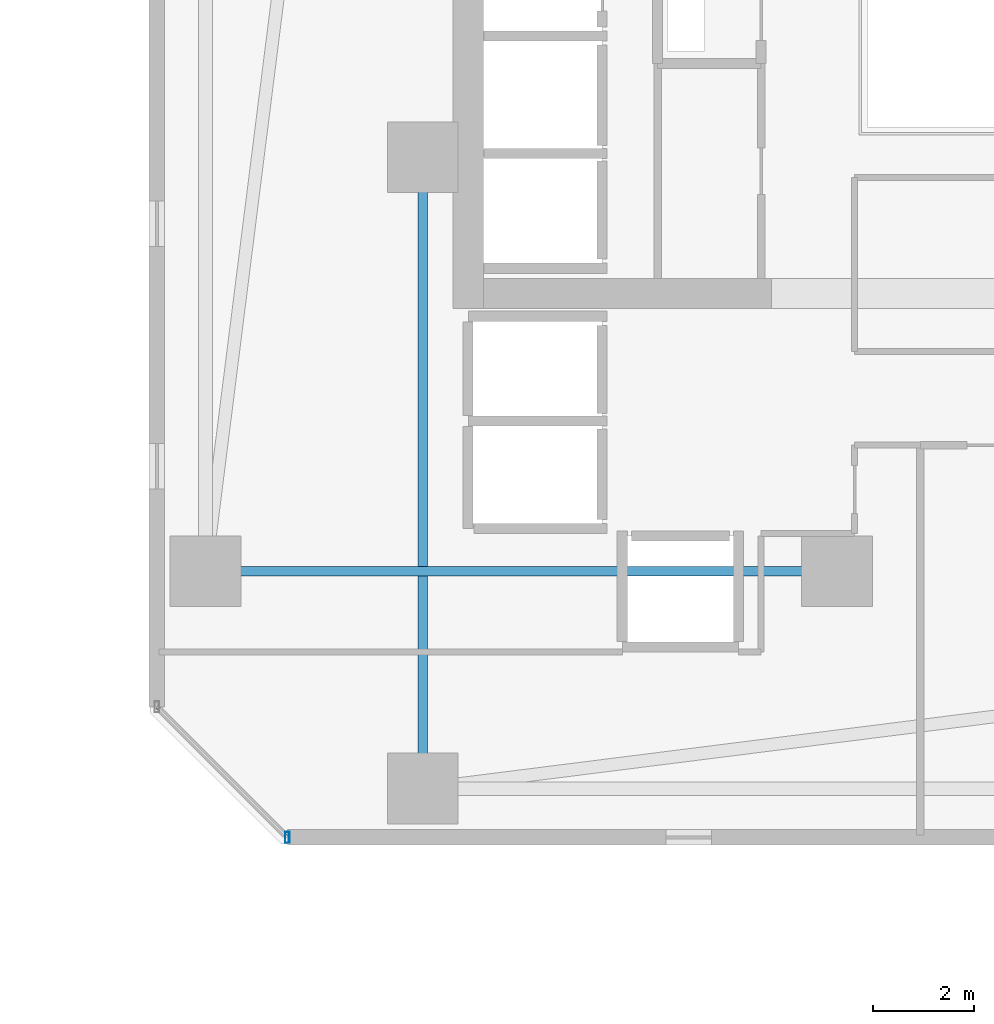
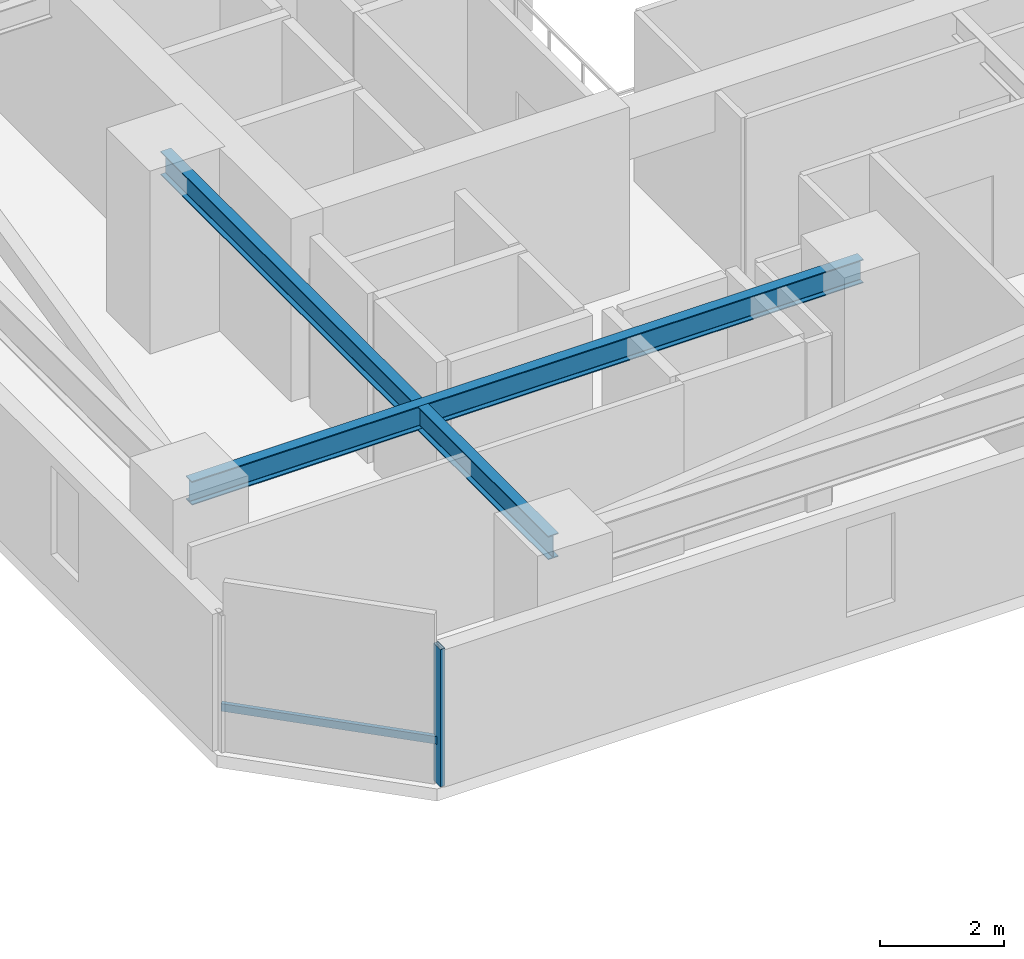
# One storey, part 12 of 34: 2 beams, 2 members, 1 element without a shape of its own.
"""IFC4 building model written with IfcOpenShell, lengths in metres."""

from ifc_helpers import new_model, si_unit, direction, frame, origin, origin_2d, place, context, subcontext, project, spatial, hollow_rectangle, i_section, extrude, material, material_profile, profile_set, type_object, element, aggregate, save


model = new_model("IFC4")

# Units and contexts
model_context = context("Model", 3, precision=1e-05, world=origin(), true_north=direction((0.0, 1.0)))
body_context = subcontext(model_context, "Body", "Model", "MODEL_VIEW")
ifc_project = project(units=[si_unit("LENGTHUNIT", "METRE"), si_unit("AREAUNIT", "SQUARE_METRE"), si_unit("VOLUMEUNIT", "CUBIC_METRE"), si_unit("PLANEANGLEUNIT", "RADIAN"), si_unit("MASSUNIT", "GRAM", prefix="KILO")], contexts=[model_context])

# Site, building, storey
site_placement = place(None, origin())
site = spatial("IfcSite", under=ifc_project, at=site_placement, CompositionType="ELEMENT")
building_placement = place(site_placement, origin())
building = spatial("IfcBuilding", under=site, at=building_placement, Name="Thornwick Lancets Civic Towers", CompositionType="ELEMENT")
storey_placement = place(building_placement, frame((0.0, 0.0, 60.89990234375)))
storey = spatial("IfcBuildingStorey", under=building, at=storey_placement, Name="L15", CompositionType="ELEMENT", Elevation=60.89990234375)

# Beams
ifc_material_1 = material(Name="Steel S355JR", Category="steel")
ifc_material_profile_1 = material_profile(ifc_material_1, i_section(OverallWidth=0.19287109375, OverallDepth=0.46728515625, WebThickness=0.011474609375, FlangeThickness=0.01953125, FilletRadius=0.01025390625, at=origin_2d()), Name="UKB 457x191x98")
ifc_profile_set_1 = profile_set([ifc_material_profile_1], Name="Steel S355JR")
beam_type = type_object("IfcBeamType", Name="BM_JOIST_457_98", PredefinedType="JOIST", material=ifc_profile_set_1)
for number, where, z_axis, x_axis, name in (
    (1, (83.699951171875, 14.0, 3.12646484375), (-1.0, 0.0, 0.0), (0.0, -1.0, 0.0), "BM-RADIN-L15-B07"),
    (2, (75.5, 22.199951171875, 3.12646484375), (0.0, -1.0, 0.0), (1.0, 0.0, 0.0), "BM-RADIN-L15-B12"),
):
    element("IfcBeam", number, at=place(storey_placement, frame(where, z_axis=z_axis, x_axis=x_axis)), inside=storey, type_object=beam_type, Name=name, PredefinedType="JOIST", context=body_context, shape_type="SweptSolid", body=[
        extrude(i_section(OverallWidth=0.19287109375, OverallDepth=0.46728515625, WebThickness=0.011474609375, FlangeThickness=0.01953125, FilletRadius=0.01025390625, at=origin_2d()), origin(), (0.0, 0.0, 1.0), 12.5),
    ])

# Curtain wall, members
ifc_material_2 = material(Name="Low-zone chamfered-corner unitised glass curtain wall", Category="glass")
curtain_wall_type = type_object("IfcCurtainWallType", Name="CW_SYS_03", PredefinedType="NOTDEFINED", material=ifc_material_2)
curtain_wall_placement = place(storey_placement, origin())
curtain_wall = element("IfcCurtainWall", 3, at=curtain_wall_placement, inside=storey, type_object=curtain_wall_type, Name="L15 Curtain Wall CW-L15-B-E7", PredefinedType="NOTDEFINED")
ifc_material_3 = material(Name="Thermally broken bronze aluminium S355", Category="steel")
ifc_material_profile_2 = material_profile(ifc_material_3, hollow_rectangle(XDim=0.090087890625, YDim=0.219970703125, WallThickness=0.00634765625, at=origin_2d()), Name="RHS 220x90x6.3")
ifc_profile_set_2 = profile_set([ifc_material_profile_2], Name="Thermally broken bronze aluminium S355")
member_type_1 = type_object("IfcMemberType", Name="CW_MUL_220", PredefinedType="MULLION", material=ifc_profile_set_2)
member_1_placement = place(storey_placement, frame((72.81884765625, 8.735107421875, 0.0), z_axis=(0.0, 0.0, 1.0), x_axis=(1.0, 0.0, 0.0)))
member_1 = element("IfcMember", 4, at=member_1_placement, type_object=member_type_1, Name="CW-L15-B-E7 Mullion 1", PredefinedType="MULLION", context=body_context, shape_type="SweptSolid", body=[
    extrude(hollow_rectangle(XDim=0.090087890625, YDim=0.219970703125, WallThickness=0.00634765625, at=origin_2d()), origin(), (0.0, 0.0, 1.0), 2.7001953125),
])
ifc_material_profile_3 = material_profile(ifc_material_3, hollow_rectangle(XDim=0.074951171875, YDim=0.14990234375, WallThickness=0.0048828125, at=origin_2d()), Name="RHS 150x75x5")
ifc_profile_set_3 = profile_set([ifc_material_profile_3], Name="Thermally broken bronze aluminium S355")
member_type_2 = type_object("IfcMemberType", Name="CW_TRN_150", PredefinedType="USERDEFINED", material=ifc_profile_set_3)
member_2_placement = place(storey_placement, frame((70.249267578125, 11.3046875, 0.85009765625), z_axis=(0.707106781187, -0.707106781187, 0.0), x_axis=(0.707106781187, 0.707106781187, 0.0)))
member_2 = element("IfcMember", 5, at=member_2_placement, type_object=member_type_2, Name="CW-L15-B-E7 Transom 0", ObjectType="TRANSOM", PredefinedType="USERDEFINED", context=body_context, shape_type="SweptSolid", body=[
    extrude(hollow_rectangle(XDim=0.074951171875, YDim=0.14990234375, WallThickness=0.0048828125, at=origin_2d()), origin(), (0.0, 0.0, 1.0), 3.614013671875),
])
aggregate(curtain_wall, [member_1, member_2])

save(model, "model.ifc")
